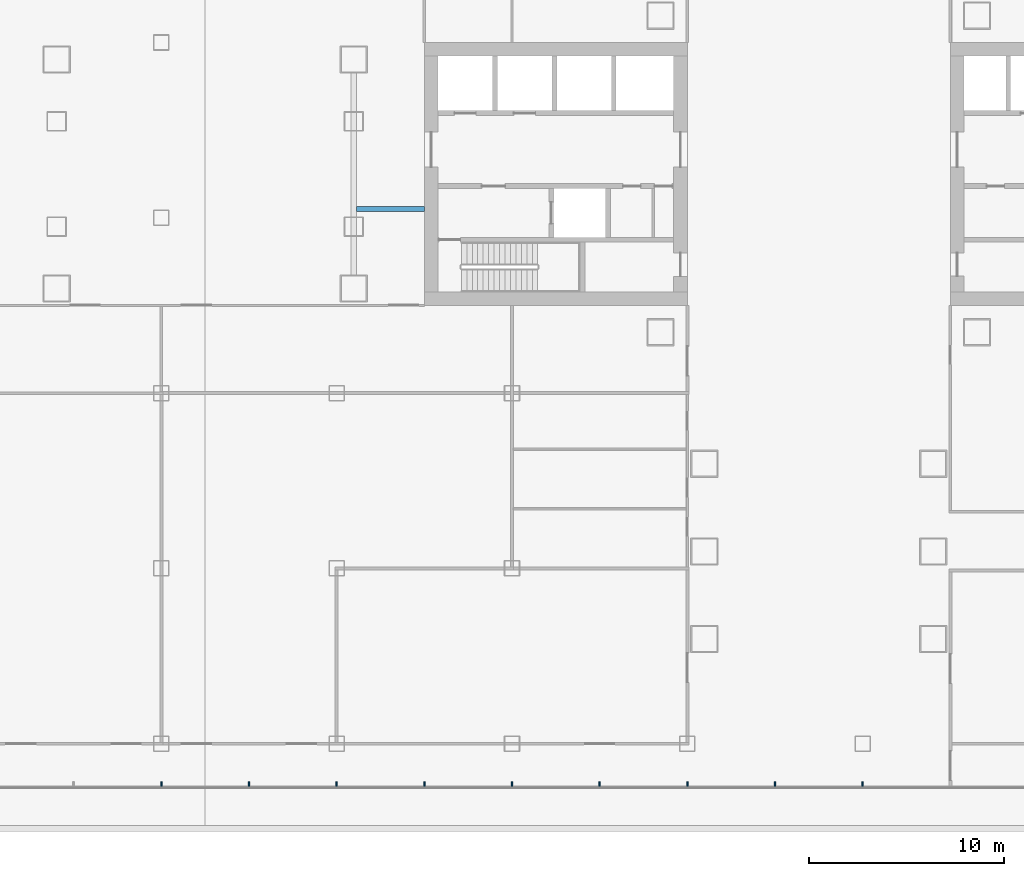
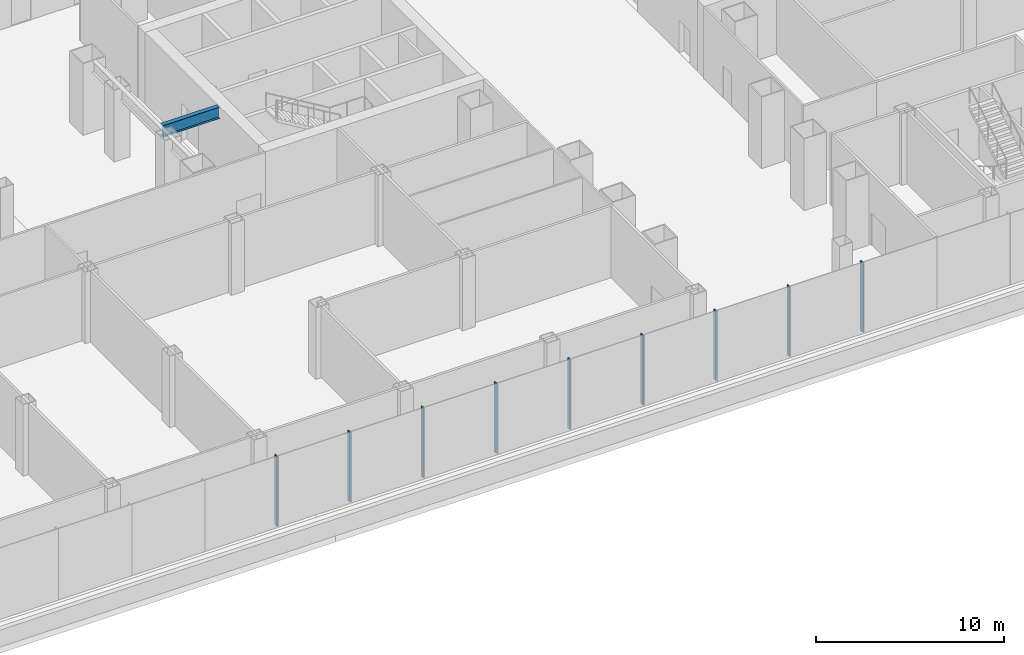
# One storey, part 9 of 30: 9 members, 1 beam, 1 element without a shape of its own.
"""IFC4 building model written with IfcOpenShell, lengths in metres."""

from ifc_helpers import new_model, si_unit, direction, frame, origin, origin_2d, place, context, subcontext, project, spatial, rectangle, i_section, extrude, material, layer, layer_set, material_profile, profile_set, type_object, element, aggregate, save


model = new_model("IFC4")

# Units and contexts
model_context = context("Model", 3, precision=1e-05, world=origin(), true_north=direction((0.0, 1.0)))
body_context = subcontext(model_context, "Body", "Model", "MODEL_VIEW")
ifc_project = project(units=[si_unit("LENGTHUNIT", "METRE"), si_unit("AREAUNIT", "SQUARE_METRE"), si_unit("VOLUMEUNIT", "CUBIC_METRE"), si_unit("PLANEANGLEUNIT", "RADIAN"), si_unit("MASSUNIT", "GRAM", prefix="KILO")], contexts=[model_context])

# Site, building, storey
site_placement = place(None, origin())
site = spatial("IfcSite", under=ifc_project, at=site_placement, CompositionType="ELEMENT")
building_placement = place(site_placement, origin())
building = spatial("IfcBuilding", under=site, at=building_placement, Name="Shamsa Quay Exchange Towers", CompositionType="ELEMENT")
storey_placement = place(building_placement, frame((0.0, 0.0, 23.5)))
storey = spatial("IfcBuildingStorey", under=building, at=storey_placement, Name="L04", CompositionType="ELEMENT", Elevation=23.5)

# Curtain wall, members
ifc_material_1 = material(Name="Aluminium EN AW-6063 T6, black anodised", Category="aluminium")
ifc_layer = layer(ifc_material_1, 0.33203125)
ifc_layer_set = layer_set([ifc_layer], Name="CW-3 PODIUM SHOPFRONT GLAZING")
curtain_wall_type = type_object("IfcCurtainWallType", Name="CW-3 PODIUM SHOPFRONT GLAZING", PredefinedType="NOTDEFINED", material=ifc_layer_set)
curtain_wall_placement = place(storey_placement, origin())
curtain_wall = element("IfcCurtainWall", 1, at=curtain_wall_placement, inside=storey, type_object=curtain_wall_type, Name="CW3 PODIUM-L04-F03", PredefinedType="NOTDEFINED")
ifc_material_profile_1 = material_profile(ifc_material_1, rectangle(XDim=0.219970703125, YDim=0.080078125, at=origin_2d()), Name="MU80x220")
ifc_profile_set_1 = profile_set([ifc_material_profile_1], Name="Aluminium EN AW-6063 T6, black anodised")
member_type = type_object("IfcMemberType", Name="CW3 MULLION 80x220", PredefinedType="MULLION", material=ifc_profile_set_1)
member_1_placement = place(storey_placement, frame((0.0, -31.31005859375, 0.0), z_axis=(0.0, 0.0, 1.0), x_axis=(0.0, 1.0, 0.0)))
member_1 = element("IfcMember", 2, at=member_1_placement, type_object=member_type, Name="CW3 mullion", PredefinedType="MULLION", context=body_context, shape_type="SweptSolid", body=[
    extrude(rectangle(XDim=0.219970703125, YDim=0.080078125, at=origin_2d()), origin(), (0.0, 0.0, 1.0), 4.550048828125),
])
member_2_placement = place(storey_placement, frame((4.5, -31.31005859375, 0.0), z_axis=(0.0, 0.0, 1.0), x_axis=(0.0, 1.0, 0.0)))
member_2 = element("IfcMember", 3, at=member_2_placement, type_object=member_type, Name="CW3 mullion", PredefinedType="MULLION", context=body_context, shape_type="SweptSolid", body=[
    extrude(rectangle(XDim=0.219970703125, YDim=0.080078125, at=origin_2d()), origin(), (0.0, 0.0, 1.0), 4.550048828125),
])
member_3_placement = place(storey_placement, frame((9.0, -31.31005859375, 0.0), z_axis=(0.0, 0.0, 1.0), x_axis=(0.0, 1.0, 0.0)))
member_3 = element("IfcMember", 4, at=member_3_placement, type_object=member_type, Name="CW3 mullion", PredefinedType="MULLION", context=body_context, shape_type="SweptSolid", body=[
    extrude(rectangle(XDim=0.219970703125, YDim=0.080078125, at=origin_2d()), origin(), (0.0, 0.0, 1.0), 4.550048828125),
])
member_4_placement = place(storey_placement, frame((13.5, -31.31005859375, 0.0), z_axis=(0.0, 0.0, 1.0), x_axis=(0.0, 1.0, 0.0)))
member_4 = element("IfcMember", 5, at=member_4_placement, type_object=member_type, Name="CW3 mullion", PredefinedType="MULLION", context=body_context, shape_type="SweptSolid", body=[
    extrude(rectangle(XDim=0.219970703125, YDim=0.080078125, at=origin_2d()), origin(), (0.0, 0.0, 1.0), 4.550048828125),
])
member_5_placement = place(storey_placement, frame((18.0, -31.31005859375, 0.0), z_axis=(0.0, 0.0, 1.0), x_axis=(0.0, 1.0, 0.0)))
member_5 = element("IfcMember", 6, at=member_5_placement, type_object=member_type, Name="CW3 mullion", PredefinedType="MULLION", context=body_context, shape_type="SweptSolid", body=[
    extrude(rectangle(XDim=0.219970703125, YDim=0.080078125, at=origin_2d()), origin(), (0.0, 0.0, 1.0), 4.550048828125),
])
member_6_placement = place(storey_placement, frame((22.5, -31.31005859375, 0.0), z_axis=(0.0, 0.0, 1.0), x_axis=(0.0, 1.0, 0.0)))
member_6 = element("IfcMember", 7, at=member_6_placement, type_object=member_type, Name="CW3 mullion", PredefinedType="MULLION", context=body_context, shape_type="SweptSolid", body=[
    extrude(rectangle(XDim=0.219970703125, YDim=0.080078125, at=origin_2d()), origin(), (0.0, 0.0, 1.0), 4.550048828125),
])
member_7_placement = place(storey_placement, frame((27.0, -31.31005859375, 0.0), z_axis=(0.0, 0.0, 1.0), x_axis=(0.0, 1.0, 0.0)))
member_7 = element("IfcMember", 8, at=member_7_placement, type_object=member_type, Name="CW3 mullion", PredefinedType="MULLION", context=body_context, shape_type="SweptSolid", body=[
    extrude(rectangle(XDim=0.219970703125, YDim=0.080078125, at=origin_2d()), origin(), (0.0, 0.0, 1.0), 4.550048828125),
])
member_8_placement = place(storey_placement, frame((31.5, -31.31005859375, 0.0), z_axis=(0.0, 0.0, 1.0), x_axis=(0.0, 1.0, 0.0)))
member_8 = element("IfcMember", 9, at=member_8_placement, type_object=member_type, Name="CW3 mullion", PredefinedType="MULLION", context=body_context, shape_type="SweptSolid", body=[
    extrude(rectangle(XDim=0.219970703125, YDim=0.080078125, at=origin_2d()), origin(), (0.0, 0.0, 1.0), 4.550048828125),
])
member_9_placement = place(storey_placement, frame((36.0, -31.31005859375, 0.0), z_axis=(0.0, 0.0, 1.0), x_axis=(0.0, 1.0, 0.0)))
member_9 = element("IfcMember", 10, at=member_9_placement, type_object=member_type, Name="CW3 mullion", PredefinedType="MULLION", context=body_context, shape_type="SweptSolid", body=[
    extrude(rectangle(XDim=0.219970703125, YDim=0.080078125, at=origin_2d()), origin(), (0.0, 0.0, 1.0), 4.550048828125),
])
aggregate(curtain_wall, [member_1, member_2, member_3, member_4, member_5, member_6, member_7, member_8, member_9])

# Beam
ifc_material_2 = material(Name="Steel S355", Category="steel")
ifc_material_profile_2 = material_profile(ifc_material_2, i_section(OverallWidth=0.26611328125, OverallDepth=0.7578125, WebThickness=0.013916015625, FlangeThickness=0.019287109375, at=origin_2d()), Name="W30x108")
ifc_profile_set_2 = profile_set([ifc_material_profile_2], Name="Steel S355")
beam_type = type_object("IfcBeamType", Name="End-zone beam W30x108", PredefinedType="BEAM", material=ifc_profile_set_2)
beam_placement = place(storey_placement, frame((13.5, -1.800048828125, 4.271240234375), z_axis=(-1.0, 0.0, 0.0), x_axis=(0.0, -1.0, 0.0)))
element("IfcBeam", 11, at=beam_placement, inside=storey, type_object=beam_type, Name="Spine beam T2 V+ end zone L04", PredefinedType="BEAM", context=body_context, shape_type="SweptSolid", body=[
    extrude(i_section(OverallWidth=0.26611328125, OverallDepth=0.7578125, WebThickness=0.013916015625, FlangeThickness=0.019287109375, at=origin_2d()), origin(), (0.0, 0.0, 1.0), 3.491943359375),
])

save(model, "model.ifc")
